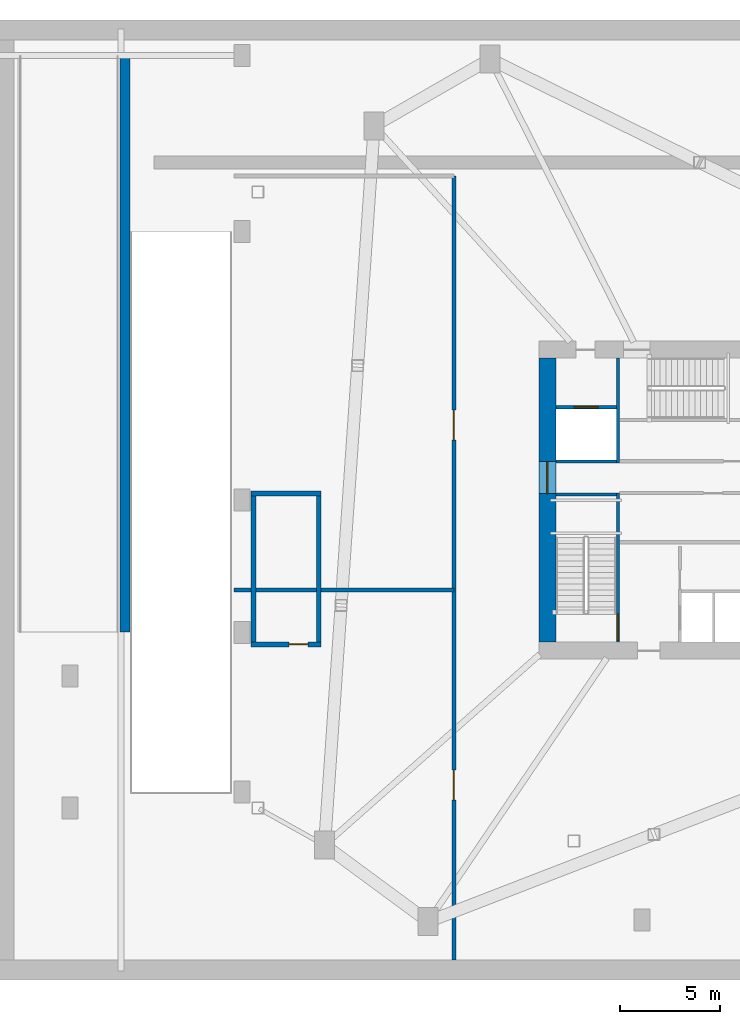
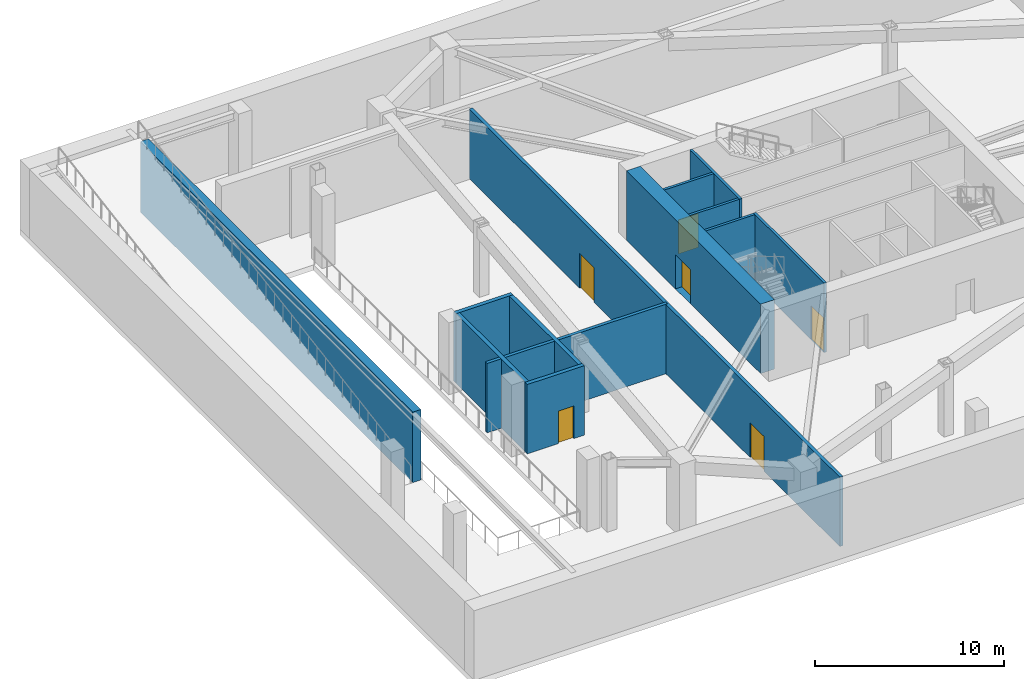
# One storey, part 3 of 9: 13 walls, 6 doors, 6 openings.
"""IFC4 building model written with IfcOpenShell, lengths in metres."""

from ifc_helpers import new_model, si_unit, direction, frame, frame_2d, origin, place, context, subcontext, project, spatial, rectangle, extrude, source, transform, mapped, material, layer, layer_set, type_object, type_shapes, element, fill, save


model = new_model("IFC4")

# Units and contexts
model_context = context("Model", 3, precision=1e-05, world=origin(), true_north=direction((0.0, 1.0)))
body_context = subcontext(model_context, "Body", "Model", "MODEL_VIEW")
ifc_project = project(units=[si_unit("LENGTHUNIT", "METRE"), si_unit("AREAUNIT", "SQUARE_METRE"), si_unit("VOLUMEUNIT", "CUBIC_METRE"), si_unit("PLANEANGLEUNIT", "RADIAN"), si_unit("MASSUNIT", "GRAM", prefix="KILO")], contexts=[model_context])

# Site, building, storey
site_placement = place(None, origin())
site = spatial("IfcSite", under=ifc_project, at=site_placement, CompositionType="ELEMENT")
building_placement = place(site_placement, origin())
building = spatial("IfcBuilding", under=site, at=building_placement, Name="Olszyna Solenne Hotel", CompositionType="ELEMENT")
storey_placement = place(building_placement, frame((0.0, 0.0, -4.800048828125)))
storey = spatial("IfcBuildingStorey", under=building, at=storey_placement, Name="B01", CompositionType="ELEMENT", Elevation=-4.800048828125)

# Wall, opening, door
ifc_material_1 = material(Name="Concrete C60/75", Category="concrete")
ifc_layer_1 = layer(ifc_material_1, 0.85009765625, Name="Concrete C60/75")
ifc_layer_set_1 = layer_set([ifc_layer_1], Name="Concrete C60/75")
wall_type_1 = type_object("IfcWallType", Name="WL-CR850", PredefinedType="SHEAR", material=ifc_layer_set_1)
wall_1_placement = place(storey_placement, frame((29.675048828125, 19.5, 0.0), z_axis=(0.0, 0.0, 1.0), x_axis=(0.0, 1.0, 0.0)))
wall_1 = element("IfcWall", 1, at=wall_1_placement, inside=storey, type_object=wall_type_1, Name="Core shear wall WL-CR850 CRW-B01-W", PredefinedType="SHEAR", context=body_context, shape_type="SweptSolid", body=[
    extrude(rectangle(XDim=14.199951171875, YDim=0.85009765625, at=frame_2d((7.10009765625, 0.0))), origin(), (0.0, 0.0, 1.0), 4.47998046875),
])
opening_1_placement = place(wall_1_placement, frame((7.419921875, 0.0, 0.0)))
opening_1 = element("IfcOpeningElement", 2, at=opening_1_placement, cuts=wall_1, Name="Opening LHD-B01-W", PredefinedType="OPENING", context=body_context, shape_type="SweptSolid", body=[
    extrude(rectangle(XDim=1.60009765625, YDim=2.199951171875, at=frame_2d((0.800048828125, 1.10009765625))), frame((0.0, 0.43505859375, 0.0), z_axis=(0.0, -1.0, 0.0), x_axis=(1.0, 0.0, 0.0)), (0.0, 0.0, 1.0), 0.8701171875),
])
ifc_material_2 = material(Name="Timber hardwood", Category="wood")
door_type_1 = type_object("IfcDoorType", Name="DR-CR1", OperationType="DOUBLE_DOOR_SINGLE_SWING", PredefinedType="DOOR", material=ifc_material_2)
shared_shape_1 = source(origin(), body_context, "Body", "SweptSolid", [
    extrude(rectangle(XDim=1.60009765625, YDim=2.199951171875, at=frame_2d((0.800048828125, 1.10009765625))), frame((0.0, 0.02490234375, 0.0), z_axis=(0.0, -1.0, 0.0), x_axis=(1.0, 0.0, 0.0)), (0.0, 0.0, 1.0), 0.050048828125),
])
type_shapes(door_type_1, [shared_shape_1])
door_1_placement = place(opening_1_placement, origin())
door_1 = element("IfcDoor", 3, at=door_1_placement, inside=storey, type_object=door_type_1, Name="Passenger lift lobby West fire door LHD-B01-W", OperationType="DOUBLE_DOOR_SINGLE_SWING", OverallHeight=2.199951171875, OverallWidth=1.60009765625, PredefinedType="DOOR", context=body_context, shape_type="MappedRepresentation", body=[
    mapped(shared_shape_1, transform((0.0, 0.0, 0.0), x_axis=(1.0, 0.0, 0.0), y_axis=(0.0, 1.0, 0.0), z_axis=(0.0, 0.0, 1.0), scale=1.0)),
])
fill(opening_1, door_1)

ifc_material_3 = material(Name="Acoustic gypsum partition", Category="gypsum")
ifc_layer_2 = layer(ifc_material_3, 0.159912109375, Name="Acoustic gypsum partition")
ifc_layer_set_2 = layer_set([ifc_layer_2], Name="Acoustic gypsum partition")
wall_type_2 = type_object("IfcWallType", Name="WL-PT160", PredefinedType="PARTITIONING", material=ifc_layer_set_2)
wall_2_placement = place(storey_placement, frame((33.199951171875, 19.5, 0.0), z_axis=(0.0, 0.0, 1.0), x_axis=(0.0, 1.0, 0.0)))
wall_2 = element("IfcWall", 4, at=wall_2_placement, inside=storey, type_object=wall_type_2, Name="Core shaft compartment wall CW-B01-ST1E", PredefinedType="PARTITIONING", context=body_context, shape_type="SweptSolid", body=[
    extrude(rectangle(XDim=7.4599609375, YDim=0.159912109375, at=frame_2d((3.72998046875, 0.0))), origin(), (0.0, 0.0, 1.0), 4.47998046875),
])
opening_2_placement = place(wall_2_placement, frame((0.080078125, 0.0, 0.0)))
opening_2 = element("IfcOpeningElement", 5, at=opening_2_placement, cuts=wall_2, Name="Opening STD-B01-01", PredefinedType="OPENING", context=body_context, shape_type="SweptSolid", body=[
    extrude(rectangle(XDim=1.320068359375, YDim=2.199951171875, at=frame_2d((0.66015625, 1.10009765625))), frame((0.0, 0.08984375, 0.0), z_axis=(0.0, -1.0, 0.0), x_axis=(1.0, 0.0, 0.0)), (0.0, 0.0, 1.0), 0.179931640625),
])
ifc_material_4 = material(Name="Steel S355J2", Category="steel")
door_type_2 = type_object("IfcDoorType", Name="DR-ST1", OperationType="NOTDEFINED", PredefinedType="DOOR", material=ifc_material_4)
shared_shape_2 = source(origin(), body_context, "Body", "SweptSolid", [
    extrude(rectangle(XDim=1.320068359375, YDim=2.199951171875, at=frame_2d((0.66015625, 1.10009765625))), frame((0.0, 0.02490234375, 0.0), z_axis=(0.0, -1.0, 0.0), x_axis=(1.0, 0.0, 0.0)), (0.0, 0.0, 1.0), 0.050048828125),
])
type_shapes(door_type_2, [shared_shape_2])
door_2_placement = place(opening_2_placement, origin())
door_2 = element("IfcDoor", 6, at=door_2_placement, inside=storey, type_object=door_type_2, Name="Pressurised exit stair ST1 fire door STD-B01-01", OperationType="SINGLE_SWING_LEFT", OverallHeight=2.199951171875, OverallWidth=1.320068359375, PredefinedType="DOOR", context=body_context, shape_type="MappedRepresentation", body=[
    mapped(shared_shape_2, transform((0.0, 0.0, 0.0), x_axis=(1.0, 0.0, 0.0), y_axis=(0.0, 1.0, 0.0), z_axis=(0.0, 0.0, 1.0), scale=1.0)),
])
fill(opening_2, door_2)

# Walls
for number, where, z_axis, x_axis, name in (
    (7, (30.10009765625, 26.8798828125, 0.0), (0.0, 0.0, 1.0), (1.0, 0.0, 0.0), "Core shaft compartment wall CW-B01-ST1N"),
    (8, (30.10009765625, 28.52001953125, 0.0), (0.0, 0.0, 1.0), (1.0, 0.0, 0.0), "Core shaft compartment wall CW-B01-SV1S"),
):
    element("IfcWall", number, at=place(storey_placement, frame(where, z_axis=z_axis, x_axis=x_axis)), inside=storey, type_object=wall_type_2, Name=name, PredefinedType="PARTITIONING", context=body_context, shape_type="SweptSolid", body=[
        extrude(rectangle(XDim=3.02001953125, YDim=0.159912109375, at=frame_2d((1.510009765625, 0.0))), origin(), (0.0, 0.0, 1.0), 4.47998046875),
    ])
wall_3_placement = place(storey_placement, frame((33.199951171875, 28.43994140625, 0.0), z_axis=(0.0, 0.0, 1.0), x_axis=(0.0, 1.0, 0.0)))
element("IfcWall", 9, at=wall_3_placement, inside=storey, type_object=wall_type_2, Name="Core shaft compartment wall CW-B01-SV1E", PredefinedType="PARTITIONING", context=body_context, shape_type="SweptSolid", body=[
    extrude(rectangle(XDim=5.260009765625, YDim=0.159912109375, at=frame_2d((2.6298828125, 0.0))), origin(), (0.0, 0.0, 1.0), 4.47998046875),
])

# Wall, opening, door
wall_4_placement = place(storey_placement, frame((30.10009765625, 31.239990234375, 0.0), z_axis=(0.0, 0.0, 1.0), x_axis=(1.0, 0.0, 0.0)))
wall_4 = element("IfcWall", 10, at=wall_4_placement, inside=storey, type_object=wall_type_2, Name="Core shaft compartment wall CW-B01-SV1N", PredefinedType="PARTITIONING", context=body_context, shape_type="SweptSolid", body=[
    extrude(rectangle(XDim=3.02001953125, YDim=0.159912109375, at=frame_2d((1.510009765625, 0.0))), origin(), (0.0, 0.0, 1.0), 4.47998046875),
])
opening_3_placement = place(wall_4_placement, frame((0.909912109375, 0.0, 0.0)))
opening_3 = element("IfcOpeningElement", 11, at=opening_3_placement, cuts=wall_4, Name="Opening LD-B01-SV1", PredefinedType="OPENING", context=body_context, shape_type="SweptSolid", body=[
    extrude(rectangle(XDim=1.199951171875, YDim=2.199951171875, at=frame_2d((0.60009765625, 1.10009765625))), frame((0.0, 0.08984375, 0.0), z_axis=(0.0, -1.0, 0.0), x_axis=(1.0, 0.0, 0.0)), (0.0, 0.0, 1.0), 0.179931640625),
])
door_type_3 = type_object("IfcDoorType", Name="LD-FF1", OperationType="DOUBLE_DOOR_SLIDING", PredefinedType="DOOR", material=ifc_material_4)
shared_shape_3 = source(origin(), body_context, "Body", "SweptSolid", [
    extrude(rectangle(XDim=1.199951171875, YDim=2.199951171875, at=frame_2d((0.60009765625, 1.10009765625))), frame((0.0, 0.02490234375, 0.0), z_axis=(0.0, -1.0, 0.0), x_axis=(1.0, 0.0, 0.0)), (0.0, 0.0, 1.0), 0.050048828125),
])
type_shapes(door_type_3, [shared_shape_3])
door_3_placement = place(opening_3_placement, origin())
door_3 = element("IfcDoor", 12, at=door_3_placement, inside=storey, type_object=door_type_3, Name="Service lift SV1 sliding landing door LD-B01-SV1", OperationType="DOUBLE_DOOR_SLIDING", OverallHeight=2.199951171875, OverallWidth=1.199951171875, PredefinedType="DOOR", context=body_context, shape_type="MappedRepresentation", body=[
    mapped(shared_shape_3, transform((0.0, 0.0, 0.0), x_axis=(1.0, 0.0, 0.0), y_axis=(0.0, 1.0, 0.0), z_axis=(0.0, 0.0, 1.0), scale=1.0)),
])
fill(opening_3, door_3)

# Wall, openings, doors
ifc_layer_3 = layer(ifc_material_3, 0.199951171875, Name="Acoustic gypsum partition")
ifc_layer_set_3 = layer_set([ifc_layer_3], Name="Acoustic gypsum partition")
wall_type_3 = type_object("IfcWallType", Name="WL-PT200", PredefinedType="PARTITIONING", material=ifc_layer_set_3)
wall_5_placement = place(storey_placement, frame((25.0, 3.60009765625, 0.0), z_axis=(0.0, 0.0, 1.0), x_axis=(0.0, 1.0, 0.0)))
wall_5 = element("IfcWall", 13, at=wall_5_placement, inside=storey, type_object=wall_type_3, Name="Interior acoustic partition WL-PT200 PW-B01-0047", PredefinedType="PARTITIONING", context=body_context, shape_type="SweptSolid", body=[
    extrude(rectangle(XDim=39.199951171875, YDim=0.199951171875, at=frame_2d((19.60009765625, 0.0))), origin(), (0.0, 0.0, 1.0), 4.47998046875),
])
opening_4_placement = place(wall_5_placement, frame((8.0, 0.0, 0.0)))
opening_4 = element("IfcOpeningElement", 14, at=opening_4_placement, cuts=wall_5, Name="Opening DR-B01-0008", PredefinedType="OPENING", context=body_context, shape_type="SweptSolid", body=[
    extrude(rectangle(XDim=1.5, YDim=2.25, at=frame_2d((0.75, 1.125))), frame((0.0, 0.10986328125, 0.0), z_axis=(0.0, -1.0, 0.0), x_axis=(1.0, 0.0, 0.0)), (0.0, 0.0, 1.0), 0.219970703125),
])
opening_5_placement = place(wall_5_placement, frame((26.0, 0.0, 0.0)))
opening_5 = element("IfcOpeningElement", 15, at=opening_5_placement, cuts=wall_5, Name="Opening DR-B01-0009", PredefinedType="OPENING", context=body_context, shape_type="SweptSolid", body=[
    extrude(rectangle(XDim=1.5, YDim=2.25, at=frame_2d((0.75, 1.125))), frame((0.0, 0.10986328125, 0.0), z_axis=(0.0, -1.0, 0.0), x_axis=(1.0, 0.0, 0.0)), (0.0, 0.0, 1.0), 0.219970703125),
])
door_type_4 = type_object("IfcDoorType", Name="DR-PL1", OperationType="DOUBLE_DOOR_SINGLE_SWING", PredefinedType="DOOR", material=ifc_material_4)
shared_shape_4 = source(origin(), body_context, "Body", "SweptSolid", [
    extrude(rectangle(XDim=1.5, YDim=2.25, at=frame_2d((0.75, 1.125))), frame((0.0, 0.02490234375, 0.0), z_axis=(0.0, -1.0, 0.0), x_axis=(1.0, 0.0, 0.0)), (0.0, 0.0, 1.0), 0.050048828125),
])
type_shapes(door_type_4, [shared_shape_4])
door_4_placement = place(opening_4_placement, origin())
door_4 = element("IfcDoor", 16, at=door_4_placement, inside=storey, type_object=door_type_4, Name="Laundry Double Door DR-B01-0008", OperationType="DOUBLE_DOOR_SINGLE_SWING", OverallHeight=2.25, OverallWidth=1.5, PredefinedType="DOOR", context=body_context, shape_type="MappedRepresentation", body=[
    mapped(shared_shape_4, transform((0.0, 0.0, 0.0), x_axis=(1.0, 0.0, 0.0), y_axis=(0.0, 1.0, 0.0), z_axis=(0.0, 0.0, 1.0), scale=1.0)),
])
fill(opening_4, door_4)
door_5_placement = place(opening_5_placement, origin())
door_5 = element("IfcDoor", 17, at=door_5_placement, inside=storey, type_object=door_type_4, Name="Commissary Double Door DR-B01-0009", OperationType="DOUBLE_DOOR_SINGLE_SWING", OverallHeight=2.25, OverallWidth=1.5, PredefinedType="DOOR", context=body_context, shape_type="MappedRepresentation", body=[
    mapped(shared_shape_4, transform((0.0, 0.0, 0.0), x_axis=(1.0, 0.0, 0.0), y_axis=(0.0, 1.0, 0.0), z_axis=(0.0, 0.0, 1.0), scale=1.0)),
])
fill(opening_5, door_5)

# Wall
wall_6_placement = place(storey_placement, frame((14.0, 22.10009765625, 0.0), z_axis=(0.0, 0.0, 1.0), x_axis=(1.0, 0.0, 0.0)))
element("IfcWall", 18, at=wall_6_placement, inside=storey, type_object=wall_type_3, Name="Interior acoustic partition WL-PT200 PW-B01-0048", PredefinedType="PARTITIONING", context=body_context, shape_type="SweptSolid", body=[
    extrude(rectangle(XDim=11.0, YDim=0.199951171875, at=frame_2d((5.5, 0.0))), origin(), (0.0, 0.0, 1.0), 4.47998046875),
])

# Wall, opening, door
ifc_layer_4 = layer(ifc_material_3, 0.239990234375, Name="Acoustic gypsum partition")
ifc_layer_set_4 = layer_set([ifc_layer_4], Name="Acoustic gypsum partition")
wall_type_4 = type_object("IfcWallType", Name="WL-PT240", PredefinedType="PARTITIONING", material=ifc_layer_set_4)
wall_7_placement = place(storey_placement, frame((18.360107421875, 19.3798828125, 0.0), z_axis=(0.0, 0.0, 1.0), x_axis=(-1.0, 0.0, 0.0)))
wall_7 = element("IfcWall", 19, at=wall_7_placement, inside=storey, type_object=wall_type_4, Name="Core shaft compartment wall CW-B01-ST4S", PredefinedType="PARTITIONING", context=body_context, shape_type="SweptSolid", body=[
    extrude(rectangle(XDim=3.5, YDim=0.239990234375, at=frame_2d((1.75, 0.0))), origin(), (0.0, 0.0, 1.0), 4.47998046875),
])
opening_6_placement = place(wall_7_placement, frame((0.64990234375, 0.0, 0.0)))
opening_6 = element("IfcOpeningElement", 20, at=opening_6_placement, cuts=wall_7, Name="Opening SVD-B01-S4", PredefinedType="OPENING", context=body_context, shape_type="SweptSolid", body=[
    extrude(rectangle(XDim=0.949951171875, YDim=2.10009765625, at=frame_2d((0.47509765625, 1.050048828125))), frame((0.0, 0.1298828125, 0.0), z_axis=(0.0, -1.0, 0.0), x_axis=(1.0, 0.0, 0.0)), (0.0, 0.0, 1.0), 0.260009765625),
])
door_type_5 = type_object("IfcDoorType", Name="DR-SV1", OperationType="NOTDEFINED", PredefinedType="DOOR", material=ifc_material_4)
shared_shape_5 = source(origin(), body_context, "Body", "SweptSolid", [
    extrude(rectangle(XDim=0.949951171875, YDim=2.10009765625, at=frame_2d((0.47509765625, 1.050048828125))), frame((0.0, 0.02490234375, 0.0), z_axis=(0.0, -1.0, 0.0), x_axis=(1.0, 0.0, 0.0)), (0.0, 0.0, 1.0), 0.050048828125),
])
type_shapes(door_type_5, [shared_shape_5])
door_6_placement = place(opening_6_placement, origin())
door_6 = element("IfcDoor", 21, at=door_6_placement, inside=storey, type_object=door_type_5, Name="Under-stair service door SVD-B01-S4", OperationType="SINGLE_SWING_LEFT", OverallHeight=2.10009765625, OverallWidth=0.949951171875, PredefinedType="DOOR", context=body_context, shape_type="MappedRepresentation", body=[
    mapped(shared_shape_5, transform((0.0, 0.0, 0.0), x_axis=(1.0, 0.0, 0.0), y_axis=(0.0, 1.0, 0.0), z_axis=(0.0, 0.0, 1.0), scale=1.0)),
])
fill(opening_6, door_6)

# Walls
wall_8_placement = place(storey_placement, frame((14.860107421875, 26.919921875, 0.0), z_axis=(0.0, 0.0, 1.0), x_axis=(1.0, 0.0, 0.0)))
element("IfcWall", 22, at=wall_8_placement, inside=storey, type_object=wall_type_4, Name="Core shaft compartment wall CW-B01-ST4N", PredefinedType="PARTITIONING", context=body_context, shape_type="SweptSolid", body=[
    extrude(rectangle(XDim=3.5, YDim=0.239990234375, at=frame_2d((1.75, 0.0))), origin(), (0.0, 0.0, 1.0), 4.47998046875),
])
for number, where, z_axis, x_axis, name in (
    (23, (14.97998046875, 19.5, 0.0), (0.0, 0.0, 1.0), (0.0, 1.0, 0.0), "Core shaft compartment wall CW-B01-ST4W"),
    (24, (18.239990234375, 26.800048828125, 0.0), (0.0, 0.0, 1.0), (0.0, -1.0, 0.0), "Core shaft compartment wall CW-B01-ST4E"),
):
    element("IfcWall", number, at=place(storey_placement, frame(where, z_axis=z_axis, x_axis=x_axis)), inside=storey, type_object=wall_type_4, Name=name, PredefinedType="PARTITIONING", context=body_context, shape_type="SweptSolid", body=[
        extrude(rectangle(XDim=7.300048828125, YDim=0.239990234375, at=frame_2d((3.64990234375, 0.0))), origin(), (0.0, 0.0, 1.0), 4.47998046875),
    ])
ifc_material_5 = material(Name="Concrete C40/50", Category="concrete")
ifc_layer_5 = layer(ifc_material_5, 0.64990234375, Name="Concrete C40/50")
ifc_layer_set_5 = layer_set([ifc_layer_5], Name="Concrete C40/50")
wall_type_5 = type_object("IfcWallType", Name="WL-RW650", PredefinedType="SOLIDWALL", material=ifc_layer_set_5)
wall_9_placement = place(storey_placement, frame((8.550048828125, 20.0, 0.0), z_axis=(0.0, 0.0, 1.0), x_axis=(0.0, 1.0, 0.0)))
element("IfcWall", 25, at=wall_9_placement, inside=storey, type_object=wall_type_5, Name="Basement B01 vehicle ramp East support wall RW-B01-02", PredefinedType="SOLIDWALL", context=body_context, shape_type="SweptSolid", body=[
    extrude(rectangle(XDim=28.800048828125, YDim=0.5, at=frame_2d((14.39990234375, 0.0))), origin(), (0.0, 0.0, 1.0), 4.550048828125),
])

save(model, "model.ifc")
